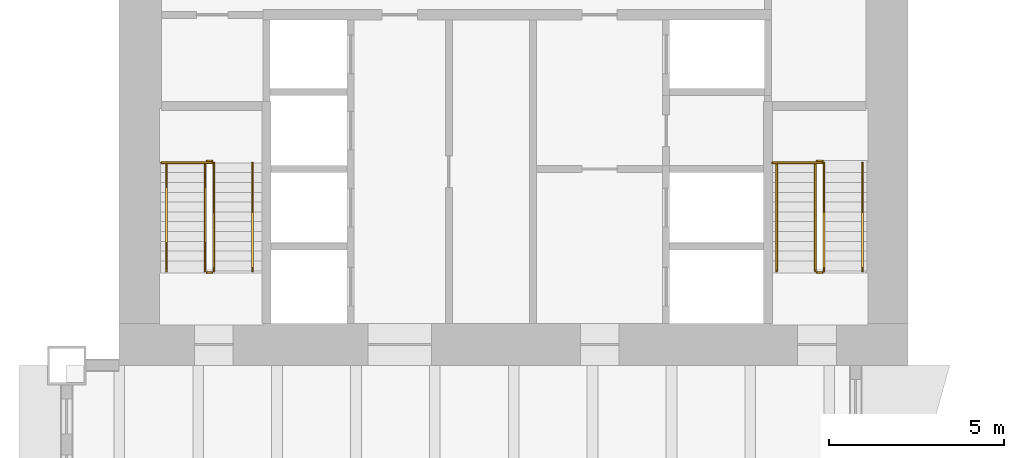
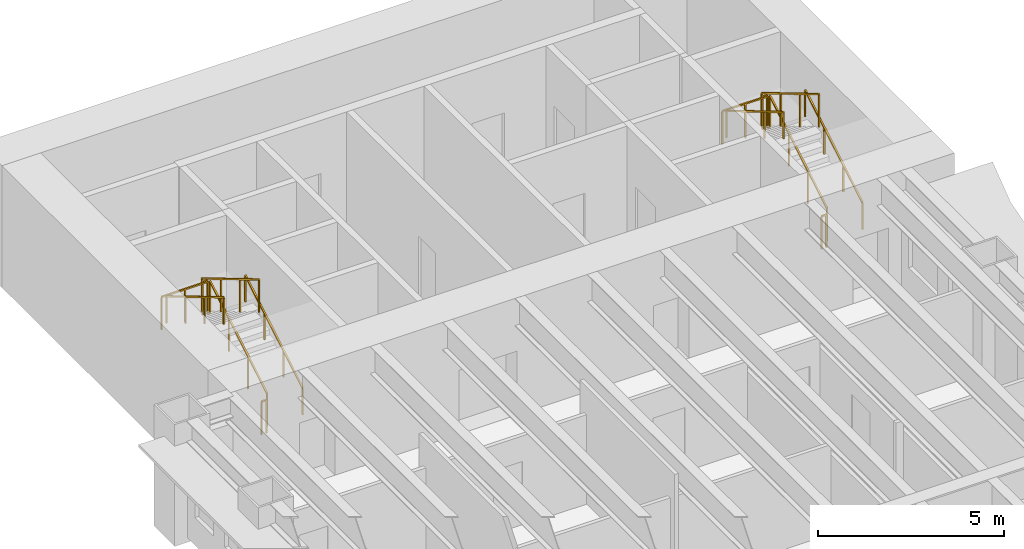
# One storey, part 15 of 15: 14 railings.
"""IFC4 building model written with IfcOpenShell, lengths in metres."""

from ifc_helpers import new_model, si_unit, direction, frame, origin, origin_2d, place, context, subcontext, project, spatial, rectangle, extrude, material, type_object, element, save


model = new_model("IFC4")

# Units and contexts
model_context = context("Model", 3, precision=1e-05, world=origin(), true_north=direction((0.0, 1.0)))
body_context = subcontext(model_context, "Body", "Model", "MODEL_VIEW")
ifc_project = project(units=[si_unit("LENGTHUNIT", "METRE"), si_unit("AREAUNIT", "SQUARE_METRE"), si_unit("VOLUMEUNIT", "CUBIC_METRE"), si_unit("PLANEANGLEUNIT", "RADIAN"), si_unit("MASSUNIT", "GRAM", prefix="KILO")], contexts=[model_context])

# Site, building, storey
site_placement = place(None, origin())
site = spatial("IfcSite", under=ifc_project, at=site_placement, CompositionType="ELEMENT")
building_placement = place(site_placement, origin())
building = spatial("IfcBuilding", under=site, at=building_placement, Name="Sennacour Bend Tower", CompositionType="ELEMENT")
storey_placement = place(building_placement, frame((0.0, 0.0, 65.0)))
storey = spatial("IfcBuildingStorey", under=building, at=storey_placement, Name="L14", CompositionType="ELEMENT", Elevation=65.0)

# Railings
ifc_material = material(Name="Stainless steel", Category="steel")
railing_type_1 = type_object("IfcRailingType", Name="RL-GUARD-1100", PredefinedType="GUARDRAIL", material=ifc_material)
railing_1_placement = place(storey_placement, frame((2.699951171875, 38.699951171875, 0.166748046875)))
element("IfcRailing", 1, at=railing_1_placement, inside=storey, type_object=railing_type_1, Name="L14 SB1 stair guard 1", PredefinedType="GUARDRAIL", context=body_context, shape_type="SweptSolid", body=[
    extrude(rectangle(XDim=0.048095703125, YDim=0.048095703125, at=origin_2d()), frame((0.0, 0.0, 1.076171875), z_axis=(0.0, 0.859308565015, 0.511457515432), x_axis=(-1.0, 0.0, 0.0)), (0.0, 0.0, 1.0), 3.58447265625),
    extrude(rectangle(XDim=0.0419921875, YDim=0.0419921875, at=origin_2d()), origin(), (0.0, 0.0, 1.0), 1.052001953125),
    extrude(rectangle(XDim=0.0419921875, YDim=0.0419921875, at=origin_2d()), frame((0.0, 1.026611328125, 0.611083984375)), (0.0, 0.0, 1.0), 1.052001953125),
    extrude(rectangle(XDim=0.0419921875, YDim=0.0419921875, at=origin_2d()), frame((0.0, 2.053466796875, 1.22216796875)), (0.0, 0.0, 1.0), 1.052001953125),
    extrude(rectangle(XDim=0.0419921875, YDim=0.0419921875, at=origin_2d()), frame((0.0, 3.080078125, 1.833251953125)), (0.0, 0.0, 1.0), 1.052001953125),
])
railing_2_placement = place(storey_placement, frame((2.64990234375, 41.830078125, 2.0)))
element("IfcRailing", 2, at=railing_2_placement, inside=storey, type_object=railing_type_1, Name="L14 SB1 stair guard 2", PredefinedType="GUARDRAIL", context=body_context, shape_type="SweptSolid", body=[
    extrude(rectangle(XDim=0.048095703125, YDim=0.048095703125, at=origin_2d()), frame((0.0, 0.0, 1.076171875), z_axis=(-1.0, 0.0, 0.0), x_axis=(0.0, -1.0, 0.0)), (0.0, 0.0, 1.0), 0.14990234375),
    extrude(rectangle(XDim=0.0419921875, YDim=0.0419921875, at=origin_2d()), origin(), (0.0, 0.0, 1.0), 1.052001953125),
    extrude(rectangle(XDim=0.0419921875, YDim=0.0419921875, at=origin_2d()), frame((-0.14990234375, 0.0, 0.0)), (0.0, 0.0, 1.0), 1.052001953125),
])
railing_3_placement = place(storey_placement, frame((2.449951171875, 41.780029296875, 2.166748046875)))
element("IfcRailing", 3, at=railing_3_placement, inside=storey, type_object=railing_type_1, Name="L14 SB1 stair guard 4", PredefinedType="GUARDRAIL", context=body_context, shape_type="SweptSolid", body=[
    extrude(rectangle(XDim=0.048095703125, YDim=0.048095703125, at=origin_2d()), frame((0.0, 0.0, 1.076171875), z_axis=(0.0, -0.859308565015, 0.511457515432), x_axis=(1.0, 0.0, 0.0)), (0.0, 0.0, 1.0), 3.58447265625),
    extrude(rectangle(XDim=0.0419921875, YDim=0.0419921875, at=origin_2d()), origin(), (0.0, 0.0, 1.0), 1.052001953125),
    extrude(rectangle(XDim=0.0419921875, YDim=0.0419921875, at=origin_2d()), frame((0.0, -1.026611328125, 0.611083984375)), (0.0, 0.0, 1.0), 1.052001953125),
    extrude(rectangle(XDim=0.0419921875, YDim=0.0419921875, at=origin_2d()), frame((0.0, -2.053466796875, 1.22216796875)), (0.0, 0.0, 1.0), 1.052001953125),
    extrude(rectangle(XDim=0.0419921875, YDim=0.0419921875, at=origin_2d()), frame((0.0, -3.080078125, 1.833251953125)), (0.0, 0.0, 1.0), 1.052001953125),
])
railing_4_placement = place(storey_placement, frame((2.64990234375, 38.64990234375, 0.0)))
element("IfcRailing", 4, at=railing_4_placement, inside=storey, type_object=railing_type_1, Name="L14 SB1 stair guard 5", PredefinedType="GUARDRAIL", context=body_context, shape_type="SweptSolid", body=[
    extrude(rectangle(XDim=0.048095703125, YDim=0.048095703125, at=origin_2d()), frame((0.0, 0.0, 1.076171875), z_axis=(-1.0, 0.0, 0.0), x_axis=(0.0, -1.0, 0.0)), (0.0, 0.0, 1.0), 0.14990234375),
    extrude(rectangle(XDim=0.0419921875, YDim=0.0419921875, at=origin_2d()), origin(), (0.0, 0.0, 1.0), 1.052001953125),
    extrude(rectangle(XDim=0.0419921875, YDim=0.0419921875, at=origin_2d()), frame((-0.14990234375, 0.0, 0.0)), (0.0, 0.0, 1.0), 1.052001953125),
])
railing_5_placement = place(storey_placement, frame((2.64990234375, 41.780029296875, 2.0)))
element("IfcRailing", 5, at=railing_5_placement, inside=storey, type_object=railing_type_1, Name="L14 SB1 landing edge guard 33", PredefinedType="GUARDRAIL", context=body_context, shape_type="SweptSolid", body=[
    extrude(rectangle(XDim=0.048095703125, YDim=0.048095703125, at=origin_2d()), frame((0.0, 0.0, 1.076171875), z_axis=(-1.0, 0.0, 0.0), x_axis=(0.0, -1.0, 0.0)), (0.0, 0.0, 1.0), 1.449951171875),
    extrude(rectangle(XDim=0.0419921875, YDim=0.0419921875, at=origin_2d()), origin(), (0.0, 0.0, 1.0), 1.052001953125),
    extrude(rectangle(XDim=0.0419921875, YDim=0.0419921875, at=origin_2d()), frame((-0.72509765625, 0.0, 0.0)), (0.0, 0.0, 1.0), 1.052001953125),
    extrude(rectangle(XDim=0.0419921875, YDim=0.0419921875, at=origin_2d()), frame((-1.449951171875, 0.0, 0.0)), (0.0, 0.0, 1.0), 1.052001953125),
])
railing_6_placement = place(storey_placement, frame((20.10009765625, 38.699951171875, 0.166748046875)))
element("IfcRailing", 6, at=railing_6_placement, inside=storey, type_object=railing_type_1, Name="L14 SB2 stair guard 1", PredefinedType="GUARDRAIL", context=body_context, shape_type="SweptSolid", body=[
    extrude(rectangle(XDim=0.048095703125, YDim=0.048095703125, at=origin_2d()), frame((0.0, 0.0, 1.076171875), z_axis=(0.0, 0.859308565015, 0.511457515432), x_axis=(-1.0, 0.0, 0.0)), (0.0, 0.0, 1.0), 3.58447265625),
    extrude(rectangle(XDim=0.0419921875, YDim=0.0419921875, at=origin_2d()), origin(), (0.0, 0.0, 1.0), 1.052001953125),
    extrude(rectangle(XDim=0.0419921875, YDim=0.0419921875, at=origin_2d()), frame((0.0, 1.026611328125, 0.611083984375)), (0.0, 0.0, 1.0), 1.052001953125),
    extrude(rectangle(XDim=0.0419921875, YDim=0.0419921875, at=origin_2d()), frame((0.0, 2.053466796875, 1.22216796875)), (0.0, 0.0, 1.0), 1.052001953125),
    extrude(rectangle(XDim=0.0419921875, YDim=0.0419921875, at=origin_2d()), frame((0.0, 3.080078125, 1.833251953125)), (0.0, 0.0, 1.0), 1.052001953125),
])
railing_7_placement = place(storey_placement, frame((20.050048828125, 41.830078125, 2.0)))
element("IfcRailing", 7, at=railing_7_placement, inside=storey, type_object=railing_type_1, Name="L14 SB2 stair guard 2", PredefinedType="GUARDRAIL", context=body_context, shape_type="SweptSolid", body=[
    extrude(rectangle(XDim=0.048095703125, YDim=0.048095703125, at=origin_2d()), frame((0.0, 0.0, 1.076171875), z_axis=(-1.0, 0.0, 0.0), x_axis=(0.0, -1.0, 0.0)), (0.0, 0.0, 1.0), 0.150146484375),
    extrude(rectangle(XDim=0.0419921875, YDim=0.0419921875, at=origin_2d()), origin(), (0.0, 0.0, 1.0), 1.052001953125),
    extrude(rectangle(XDim=0.0419921875, YDim=0.0419921875, at=origin_2d()), frame((-0.150146484375, 0.0, 0.0)), (0.0, 0.0, 1.0), 1.052001953125),
])
railing_8_placement = place(storey_placement, frame((19.85009765625, 41.780029296875, 2.166748046875)))
element("IfcRailing", 8, at=railing_8_placement, inside=storey, type_object=railing_type_1, Name="L14 SB2 stair guard 4", PredefinedType="GUARDRAIL", context=body_context, shape_type="SweptSolid", body=[
    extrude(rectangle(XDim=0.048095703125, YDim=0.048095703125, at=origin_2d()), frame((0.0, 0.0, 1.076171875), z_axis=(0.0, -0.859308565015, 0.511457515432), x_axis=(1.0, 0.0, 0.0)), (0.0, 0.0, 1.0), 3.58447265625),
    extrude(rectangle(XDim=0.0419921875, YDim=0.0419921875, at=origin_2d()), origin(), (0.0, 0.0, 1.0), 1.052001953125),
    extrude(rectangle(XDim=0.0419921875, YDim=0.0419921875, at=origin_2d()), frame((0.0, -1.026611328125, 0.611083984375)), (0.0, 0.0, 1.0), 1.052001953125),
    extrude(rectangle(XDim=0.0419921875, YDim=0.0419921875, at=origin_2d()), frame((0.0, -2.053466796875, 1.22216796875)), (0.0, 0.0, 1.0), 1.052001953125),
    extrude(rectangle(XDim=0.0419921875, YDim=0.0419921875, at=origin_2d()), frame((0.0, -3.080078125, 1.833251953125)), (0.0, 0.0, 1.0), 1.052001953125),
])
railing_9_placement = place(storey_placement, frame((20.050048828125, 38.64990234375, 0.0)))
element("IfcRailing", 9, at=railing_9_placement, inside=storey, type_object=railing_type_1, Name="L14 SB2 stair guard 5", PredefinedType="GUARDRAIL", context=body_context, shape_type="SweptSolid", body=[
    extrude(rectangle(XDim=0.048095703125, YDim=0.048095703125, at=origin_2d()), frame((0.0, 0.0, 1.076171875), z_axis=(-1.0, 0.0, 0.0), x_axis=(0.0, -1.0, 0.0)), (0.0, 0.0, 1.0), 0.150146484375),
    extrude(rectangle(XDim=0.0419921875, YDim=0.0419921875, at=origin_2d()), origin(), (0.0, 0.0, 1.0), 1.052001953125),
    extrude(rectangle(XDim=0.0419921875, YDim=0.0419921875, at=origin_2d()), frame((-0.150146484375, 0.0, 0.0)), (0.0, 0.0, 1.0), 1.052001953125),
])
railing_10_placement = place(storey_placement, frame((20.050048828125, 41.780029296875, 2.0)))
element("IfcRailing", 10, at=railing_10_placement, inside=storey, type_object=railing_type_1, Name="L14 SB2 landing edge guard 25", PredefinedType="GUARDRAIL", context=body_context, shape_type="SweptSolid", body=[
    extrude(rectangle(XDim=0.048095703125, YDim=0.048095703125, at=origin_2d()), frame((0.0, 0.0, 1.076171875), z_axis=(-1.0, 0.0, 0.0), x_axis=(0.0, -1.0, 0.0)), (0.0, 0.0, 1.0), 1.425048828125),
    extrude(rectangle(XDim=0.0419921875, YDim=0.0419921875, at=origin_2d()), origin(), (0.0, 0.0, 1.0), 1.052001953125),
    extrude(rectangle(XDim=0.0419921875, YDim=0.0419921875, at=origin_2d()), frame((-0.71240234375, 0.0, 0.0)), (0.0, 0.0, 1.0), 1.052001953125),
    extrude(rectangle(XDim=0.0419921875, YDim=0.0419921875, at=origin_2d()), frame((-1.425048828125, 0.0, 0.0)), (0.0, 0.0, 1.0), 1.052001953125),
])
railing_type_2 = type_object("IfcRailingType", Name="RL-HANDRAIL-900", PredefinedType="HANDRAIL", material=ifc_material)
railing_11_placement = place(storey_placement, frame((3.800048828125, 38.699951171875, 0.166748046875)))
element("IfcRailing", 11, at=railing_11_placement, inside=storey, type_object=railing_type_2, Name="L14 SB1 stair handrail 1", PredefinedType="HANDRAIL", context=body_context, shape_type="SweptSolid", body=[
    extrude(rectangle(XDim=0.048095703125, YDim=0.048095703125, at=origin_2d()), frame((0.0, 0.0, 0.8759765625), z_axis=(0.0, 0.859308565015, 0.511457515432), x_axis=(-1.0, 0.0, 0.0)), (0.0, 0.0, 1.0), 3.58447265625),
    extrude(rectangle(XDim=0.0419921875, YDim=0.0419921875, at=origin_2d()), origin(), (0.0, 0.0, 1.0), 0.851806640625),
    extrude(rectangle(XDim=0.0419921875, YDim=0.0419921875, at=origin_2d()), frame((0.0, 1.026611328125, 0.611083984375)), (0.0, 0.0, 1.0), 0.851806640625),
    extrude(rectangle(XDim=0.0419921875, YDim=0.0419921875, at=origin_2d()), frame((0.0, 2.053466796875, 1.22216796875)), (0.0, 0.0, 1.0), 0.851806640625),
    extrude(rectangle(XDim=0.0419921875, YDim=0.0419921875, at=origin_2d()), frame((0.0, 3.080078125, 1.833251953125)), (0.0, 0.0, 1.0), 0.851806640625),
])
railing_12_placement = place(storey_placement, frame((1.35009765625, 41.780029296875, 2.166748046875)))
element("IfcRailing", 12, at=railing_12_placement, inside=storey, type_object=railing_type_2, Name="L14 SB1 stair handrail 2", PredefinedType="HANDRAIL", context=body_context, shape_type="SweptSolid", body=[
    extrude(rectangle(XDim=0.048095703125, YDim=0.048095703125, at=origin_2d()), frame((0.0, 0.0, 0.8759765625), z_axis=(0.0, -0.859308565015, 0.511457515432), x_axis=(1.0, 0.0, 0.0)), (0.0, 0.0, 1.0), 3.58447265625),
    extrude(rectangle(XDim=0.0419921875, YDim=0.0419921875, at=origin_2d()), origin(), (0.0, 0.0, 1.0), 0.851806640625),
    extrude(rectangle(XDim=0.0419921875, YDim=0.0419921875, at=origin_2d()), frame((0.0, -1.026611328125, 0.611083984375)), (0.0, 0.0, 1.0), 0.851806640625),
    extrude(rectangle(XDim=0.0419921875, YDim=0.0419921875, at=origin_2d()), frame((0.0, -2.053466796875, 1.22216796875)), (0.0, 0.0, 1.0), 0.851806640625),
    extrude(rectangle(XDim=0.0419921875, YDim=0.0419921875, at=origin_2d()), frame((0.0, -3.080078125, 1.833251953125)), (0.0, 0.0, 1.0), 0.851806640625),
])
railing_13_placement = place(storey_placement, frame((21.199951171875, 38.699951171875, 0.166748046875)))
element("IfcRailing", 13, at=railing_13_placement, inside=storey, type_object=railing_type_2, Name="L14 SB2 stair handrail 1", PredefinedType="HANDRAIL", context=body_context, shape_type="SweptSolid", body=[
    extrude(rectangle(XDim=0.048095703125, YDim=0.048095703125, at=origin_2d()), frame((0.0, 0.0, 0.8759765625), z_axis=(0.0, 0.859308565015, 0.511457515432), x_axis=(-1.0, 0.0, 0.0)), (0.0, 0.0, 1.0), 3.58447265625),
    extrude(rectangle(XDim=0.0419921875, YDim=0.0419921875, at=origin_2d()), origin(), (0.0, 0.0, 1.0), 0.851806640625),
    extrude(rectangle(XDim=0.0419921875, YDim=0.0419921875, at=origin_2d()), frame((0.0, 1.026611328125, 0.611083984375)), (0.0, 0.0, 1.0), 0.851806640625),
    extrude(rectangle(XDim=0.0419921875, YDim=0.0419921875, at=origin_2d()), frame((0.0, 2.053466796875, 1.22216796875)), (0.0, 0.0, 1.0), 0.851806640625),
    extrude(rectangle(XDim=0.0419921875, YDim=0.0419921875, at=origin_2d()), frame((0.0, 3.080078125, 1.833251953125)), (0.0, 0.0, 1.0), 0.851806640625),
])
railing_14_placement = place(storey_placement, frame((18.75, 41.780029296875, 2.166748046875)))
element("IfcRailing", 14, at=railing_14_placement, inside=storey, type_object=railing_type_2, Name="L14 SB2 stair handrail 2", PredefinedType="HANDRAIL", context=body_context, shape_type="SweptSolid", body=[
    extrude(rectangle(XDim=0.048095703125, YDim=0.048095703125, at=origin_2d()), frame((0.0, 0.0, 0.8759765625), z_axis=(0.0, -0.859308565015, 0.511457515432), x_axis=(1.0, 0.0, 0.0)), (0.0, 0.0, 1.0), 3.58447265625),
    extrude(rectangle(XDim=0.0419921875, YDim=0.0419921875, at=origin_2d()), origin(), (0.0, 0.0, 1.0), 0.851806640625),
    extrude(rectangle(XDim=0.0419921875, YDim=0.0419921875, at=origin_2d()), frame((0.0, -1.026611328125, 0.611083984375)), (0.0, 0.0, 1.0), 0.851806640625),
    extrude(rectangle(XDim=0.0419921875, YDim=0.0419921875, at=origin_2d()), frame((0.0, -2.053466796875, 1.22216796875)), (0.0, 0.0, 1.0), 0.851806640625),
    extrude(rectangle(XDim=0.0419921875, YDim=0.0419921875, at=origin_2d()), frame((0.0, -3.080078125, 1.833251953125)), (0.0, 0.0, 1.0), 0.851806640625),
])

save(model, "model.ifc")
